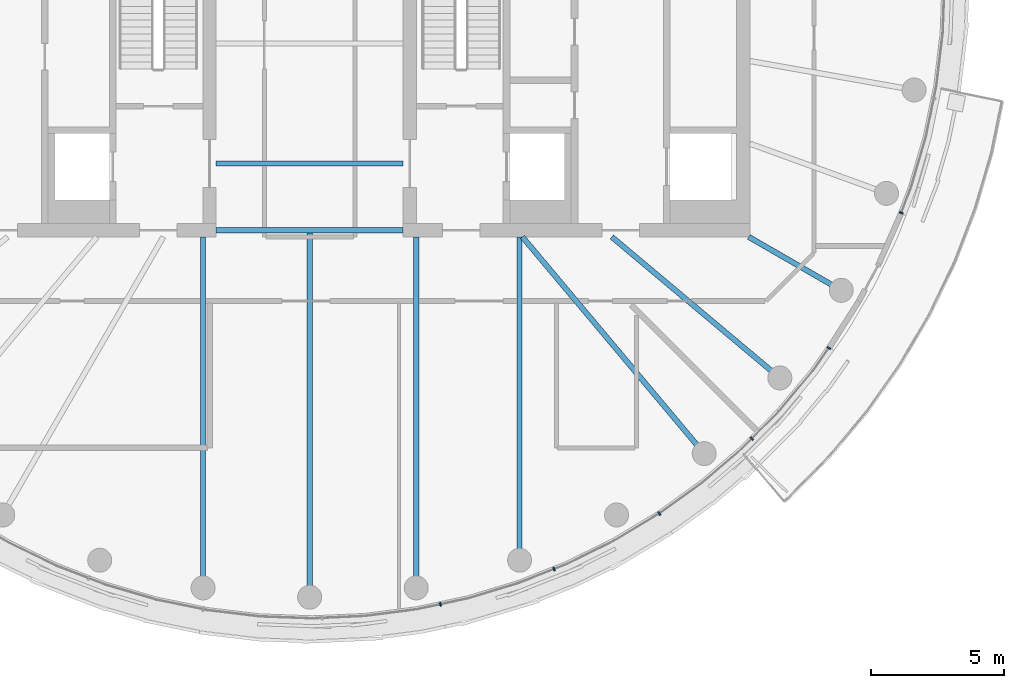
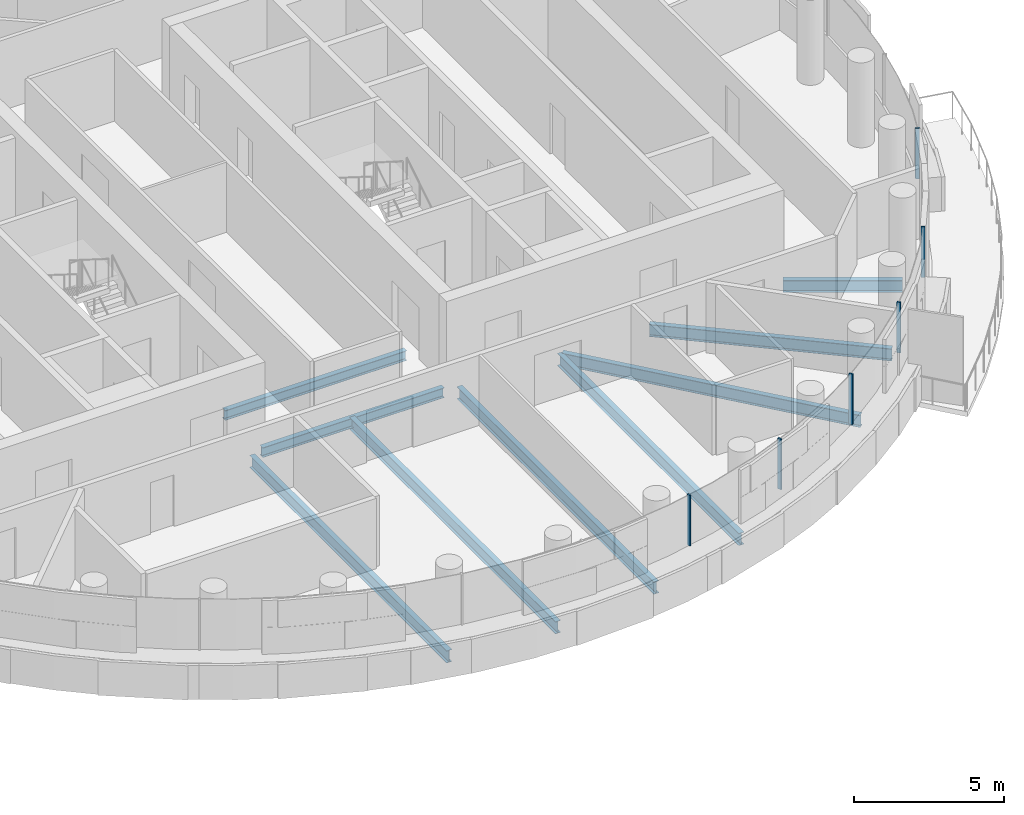
# One storey, part 8 of 26: 9 beams, 6 members, 1 element without a shape of its own.
"""IFC4 building model written with IfcOpenShell, lengths in metres."""

from ifc_helpers import new_model, si_unit, direction, frame, origin, origin_2d, place, context, subcontext, project, spatial, rectangle, i_section, extrude, material, layer, layer_set, material_profile, profile_set, type_object, element, aggregate, save


model = new_model("IFC4")

# Units and contexts
model_context = context("Model", 3, precision=1e-05, world=origin(), true_north=direction((0.0, 1.0)))
body_context = subcontext(model_context, "Body", "Model", "MODEL_VIEW")
ifc_project = project(units=[si_unit("LENGTHUNIT", "METRE"), si_unit("AREAUNIT", "SQUARE_METRE"), si_unit("VOLUMEUNIT", "CUBIC_METRE"), si_unit("PLANEANGLEUNIT", "RADIAN"), si_unit("MASSUNIT", "GRAM", prefix="KILO")], contexts=[model_context])

# Site, building, storey
site_placement = place(None, origin())
site = spatial("IfcSite", under=ifc_project, at=site_placement, CompositionType="ELEMENT")
building_placement = place(site_placement, origin())
building = spatial("IfcBuilding", under=site, at=building_placement, Name="Tamarind Cross Interchange Tower", CompositionType="ELEMENT")
storey_placement = place(building_placement, frame((0.0, 0.0, 223.5)))
storey = spatial("IfcBuildingStorey", under=building, at=storey_placement, Name="L56", CompositionType="ELEMENT", Elevation=223.5)

# Beams
ifc_material_1 = material(Name="Steel Q355B", Category="steel")
ifc_material_profile_1 = material_profile(ifc_material_1, i_section(OverallWidth=0.199951171875, OverallDepth=0.39990234375, WebThickness=0.008056640625, FlangeThickness=0.012939453125, FilletRadius=0.01611328125, at=origin_2d()), Name="HN 400x200x8x13")
ifc_profile_set_1 = profile_set([ifc_material_profile_1], Name="Steel Q355B")
beam_type_1 = type_object("IfcBeamType", Name="Composite beam HN 400x200x8x13 Q355B", PredefinedType="BEAM", material=ifc_profile_set_1)
for number, where, z_axis, x_axis, name in (
    (1, (-3.5, -6.75, -0.340087890625), (1.0, 0.0, 0.0), (0.0, 1.0, 0.0), "Beam G-6.75"),
    (2, (-3.5, -9.25, -0.340087890625), (1.0, 0.0, 0.0), (0.0, 1.0, 0.0), "Beam G-9.25"),
):
    element("IfcBeam", number, at=place(storey_placement, frame(where, z_axis=z_axis, x_axis=x_axis)), inside=storey, type_object=beam_type_1, Name=name, PredefinedType="BEAM", context=body_context, shape_type="SweptSolid", body=[
        extrude(i_section(OverallWidth=0.199951171875, OverallDepth=0.39990234375, WebThickness=0.008056640625, FlangeThickness=0.012939453125, FilletRadius=0.01611328125, at=origin_2d()), origin(), (0.0, 0.0, 1.0), 7.0),
    ])
ifc_material_profile_2 = material_profile(ifc_material_1, i_section(OverallWidth=0.198974609375, OverallDepth=0.49609375, WebThickness=0.009033203125, FlangeThickness=0.013916015625, FilletRadius=0.012939453125, at=origin_2d()), Name="HN 496x199x9x14")
ifc_profile_set_2 = profile_set([ifc_material_profile_2], Name="Steel Q355B")
beam_type_2 = type_object("IfcBeamType", Name="Composite beam HN 496x199x9x14 Q355B", PredefinedType="BEAM", material=ifc_profile_set_2)
beam_1_placement = place(storey_placement, frame((-3.993896484375, -22.650634765625, -0.387939453125), z_axis=(0.0, 1.0, 0.0), x_axis=(-1.0, 0.0, 0.0)))
element("IfcBeam", 3, at=beam_1_placement, inside=storey, type_object=beam_type_2, Name="Beam HH26", PredefinedType="BEAM", context=body_context, shape_type="SweptSolid", body=[
    extrude(i_section(OverallWidth=0.198974609375, OverallDepth=0.49609375, WebThickness=0.009033203125, FlangeThickness=0.013916015625, FilletRadius=0.012939453125, at=origin_2d()), origin(), (0.0, 0.0, 1.0), 13.150634765625),
])
beam_2_placement = place(storey_placement, frame((0.0, -23.0, -0.387939453125), z_axis=(0.0, 1.0, 0.0), x_axis=(-1.0, 0.0, 0.0)))
element("IfcBeam", 4, at=beam_2_placement, inside=storey, type_object=beam_type_2, Name="Beam HH27", PredefinedType="BEAM", context=body_context, shape_type="SweptSolid", body=[
    extrude(i_section(OverallWidth=0.198974609375, OverallDepth=0.49609375, WebThickness=0.009033203125, FlangeThickness=0.013916015625, FilletRadius=0.012939453125, at=origin_2d()), origin(), (0.0, 0.0, 1.0), 13.75),
])
beam_3_placement = place(storey_placement, frame((3.993896484375, -22.650634765625, -0.387939453125), z_axis=(0.0, 1.0, 0.0), x_axis=(-1.0, 0.0, 0.0)))
element("IfcBeam", 5, at=beam_3_placement, inside=storey, type_object=beam_type_2, Name="Beam HH28", PredefinedType="BEAM", context=body_context, shape_type="SweptSolid", body=[
    extrude(i_section(OverallWidth=0.198974609375, OverallDepth=0.49609375, WebThickness=0.009033203125, FlangeThickness=0.013916015625, FilletRadius=0.012939453125, at=origin_2d()), origin(), (0.0, 0.0, 1.0), 13.150634765625),
])
beam_4_placement = place(storey_placement, frame((7.866455078125, -21.613037109375, -0.387939453125), z_axis=(0.0, 1.0, 0.0), x_axis=(-1.0, 0.0, 0.0)))
element("IfcBeam", 6, at=beam_4_placement, inside=storey, type_object=beam_type_2, Name="Beam HH29", PredefinedType="BEAM", context=body_context, shape_type="SweptSolid", body=[
    extrude(i_section(OverallWidth=0.198974609375, OverallDepth=0.49609375, WebThickness=0.009033203125, FlangeThickness=0.013916015625, FilletRadius=0.012939453125, at=origin_2d()), origin(), (0.0, 0.0, 1.0), 12.113037109375),
])
beam_5_placement = place(storey_placement, frame((14.7841796875, -17.619140625, -0.387939453125), z_axis=(-0.642786293979, 0.766045547127, 0.0), x_axis=(-0.766045547127, -0.642786293979, 0.0)))
element("IfcBeam", 7, at=beam_5_placement, inside=storey, type_object=beam_type_2, Name="Beam HH31", PredefinedType="BEAM", context=body_context, shape_type="SweptSolid", body=[
    extrude(i_section(OverallWidth=0.198974609375, OverallDepth=0.49609375, WebThickness=0.009033203125, FlangeThickness=0.013916015625, FilletRadius=0.012939453125, at=origin_2d()), origin(), (0.0, 0.0, 1.0), 10.598876953125),
])
beam_6_placement = place(storey_placement, frame((17.619140625, -14.7841796875, -0.387939453125), z_axis=(-0.766040580814, 0.642792212574, 0.0), x_axis=(-0.642792212574, -0.766040580814, 0.0)))
element("IfcBeam", 8, at=beam_6_placement, inside=storey, type_object=beam_type_2, Name="Beam HH32", PredefinedType="BEAM", context=body_context, shape_type="SweptSolid", body=[
    extrude(i_section(OverallWidth=0.198974609375, OverallDepth=0.49609375, WebThickness=0.009033203125, FlangeThickness=0.013916015625, FilletRadius=0.012939453125, at=origin_2d()), origin(), (0.0, 0.0, 1.0), 8.220703125),
])
beam_7_placement = place(storey_placement, frame((19.918701171875, -11.5, -0.387939453125), z_axis=(-0.866026010844, 0.49999894854, 0.0), x_axis=(-0.49999894854, -0.866026010844, 0.0)))
element("IfcBeam", 9, at=beam_7_placement, inside=storey, type_object=beam_type_2, Name="Beam HH33", PredefinedType="BEAM", context=body_context, shape_type="SweptSolid", body=[
    extrude(i_section(OverallWidth=0.198974609375, OverallDepth=0.49609375, WebThickness=0.009033203125, FlangeThickness=0.013916015625, FilletRadius=0.012939453125, at=origin_2d()), origin(), (0.0, 0.0, 1.0), 4.0),
])

# Curtain wall, members
ifc_material_2 = material(Name="Aluminium 6063-T6", Category="aluminium")
ifc_layer = layer(ifc_material_2, 0.139892578125)
ifc_layer_set = layer_set([ifc_layer], Name="Aluminium 6063-T6")
curtain_wall_type = type_object("IfcCurtainWallType", Name="Hotel curtain wall, 4.5 m bays", PredefinedType="NOTDEFINED", material=ifc_layer_set)
curtain_wall_placement = place(storey_placement, origin())
curtain_wall = element("IfcCurtainWall", 10, at=curtain_wall_placement, inside=storey, type_object=curtain_wall_type, Name="CWS-L56-02", PredefinedType="NOTDEFINED")
ifc_material_profile_3 = material_profile(ifc_material_2, rectangle(XDim=0.06005859375, YDim=0.139892578125, at=origin_2d()), Name="Mullion CW2")
ifc_profile_set_3 = profile_set([ifc_material_profile_3], Name="Aluminium 6063-T6")
member_type = type_object("IfcMemberType", Name="Mullion CW2", PredefinedType="MULLION", material=ifc_profile_set_3)
member_1_placement = place(storey_placement, frame((4.89892578125, -23.265380859375, 1.39990234375), z_axis=(0.0, 0.0, 1.0), x_axis=(0.977824623121, 0.209425419705, 0.0)))
member_1 = element("IfcMember", 11, at=member_1_placement, type_object=member_type, Name="CWM-L56-02-07", PredefinedType="MULLION", context=body_context, shape_type="SweptSolid", body=[
    extrude(rectangle(XDim=0.06005859375, YDim=0.139892578125, at=origin_2d()), origin(), (0.0, 0.0, 1.0), 2.06005859375),
])
member_2_placement = place(storey_placement, frame((9.157958984375, -21.945556640625, 1.39990234375), z_axis=(0.0, 0.0, 1.0), x_axis=(0.930018078613, 0.367513773146, 0.0)))
member_2 = element("IfcMember", 12, at=member_2_placement, type_object=member_type, Name="CWM-L56-02-08", PredefinedType="MULLION", context=body_context, shape_type="SweptSolid", body=[
    extrude(rectangle(XDim=0.06005859375, YDim=0.139892578125, at=origin_2d()), origin(), (0.0, 0.0, 1.0), 2.06005859375),
])
member_3_placement = place(storey_placement, frame((13.101806640625, -19.864013671875, 1.39990234375), z_axis=(0.0, 0.0, 1.0), x_axis=(0.811340475102, 0.584573890505, 0.0)))
member_3 = element("IfcMember", 13, at=member_3_placement, type_object=member_type, Name="CWM-L56-02-09", PredefinedType="MULLION", context=body_context, shape_type="SweptSolid", body=[
    extrude(rectangle(XDim=0.06005859375, YDim=0.139892578125, at=origin_2d()), origin(), (0.0, 0.0, 1.0), 2.06005859375),
])
member_4_placement = place(storey_placement, frame((16.568359375, -17.0576171875, 1.39990234375), z_axis=(0.0, 0.0, 1.0), x_axis=(0.704057148523, 0.710143317658, 0.0)))
member_4 = element("IfcMember", 14, at=member_4_placement, type_object=member_type, Name="CWM-L56-02-10", PredefinedType="MULLION", context=body_context, shape_type="SweptSolid", body=[
    extrude(rectangle(XDim=0.06005859375, YDim=0.139892578125, at=origin_2d()), origin(), (0.0, 0.0, 1.0), 2.06005859375),
])
member_5_placement = place(storey_placement, frame((19.458251953125, -13.662109375, 1.39990234375), z_axis=(0.0, 0.0, 1.0), x_axis=(0.577568978284, 0.816341886298, 0.0)))
member_5 = element("IfcMember", 15, at=member_5_placement, type_object=member_type, Name="CWM-L56-02-11", PredefinedType="MULLION", context=body_context, shape_type="SweptSolid", body=[
    extrude(rectangle(XDim=0.06005859375, YDim=0.139892578125, at=origin_2d()), origin(), (0.0, 0.0, 1.0), 2.06005859375),
])
member_6_placement = place(storey_placement, frame((22.16650390625, -8.597900390625, 1.39990234375), z_axis=(0.0, 0.0, 1.0), x_axis=(0.359495435512, 0.933146843667, 0.0)))
member_6 = element("IfcMember", 16, at=member_6_placement, type_object=member_type, Name="CWM-L56-02-12", PredefinedType="MULLION", context=body_context, shape_type="SweptSolid", body=[
    extrude(rectangle(XDim=0.06005859375, YDim=0.139892578125, at=origin_2d()), origin(), (0.0, 0.0, 1.0), 2.06005859375),
])
aggregate(curtain_wall, [member_1, member_2, member_3, member_4, member_5, member_6])

save(model, "model.ifc")
